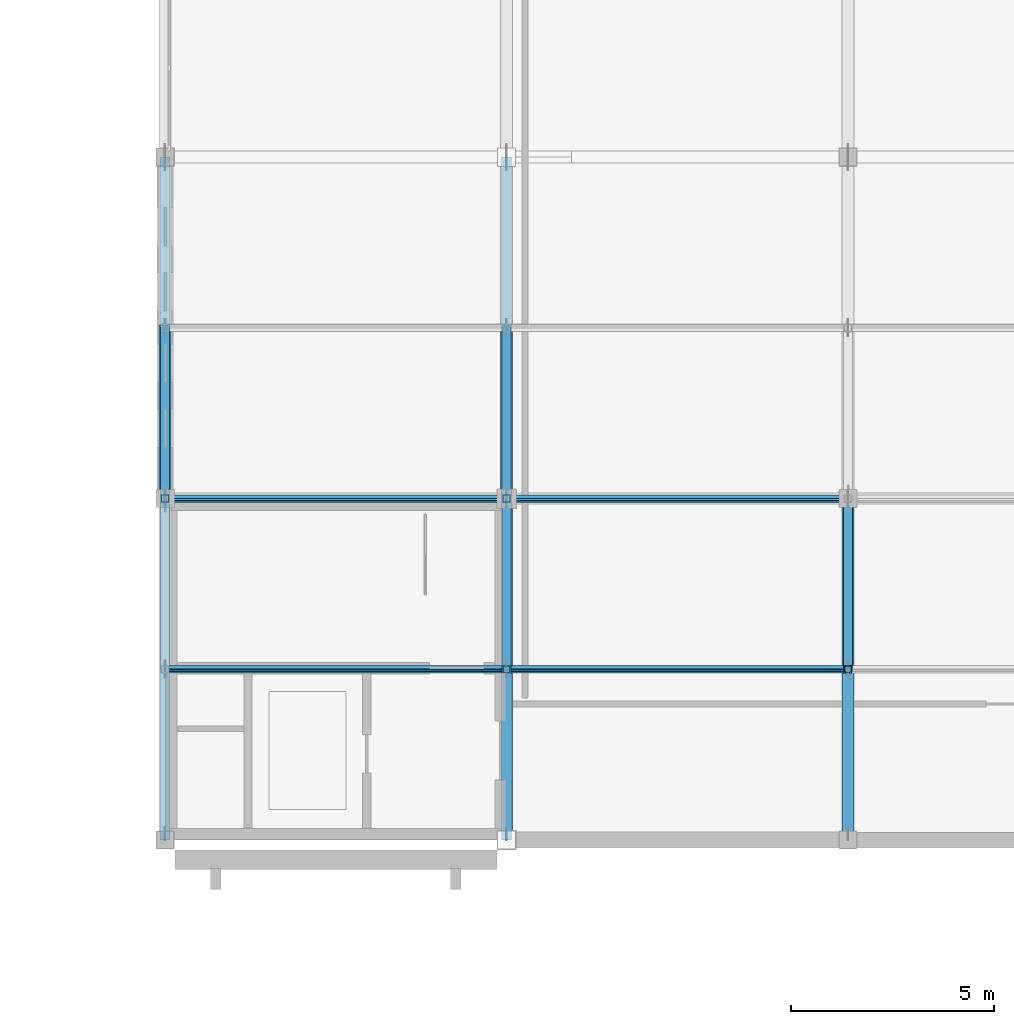
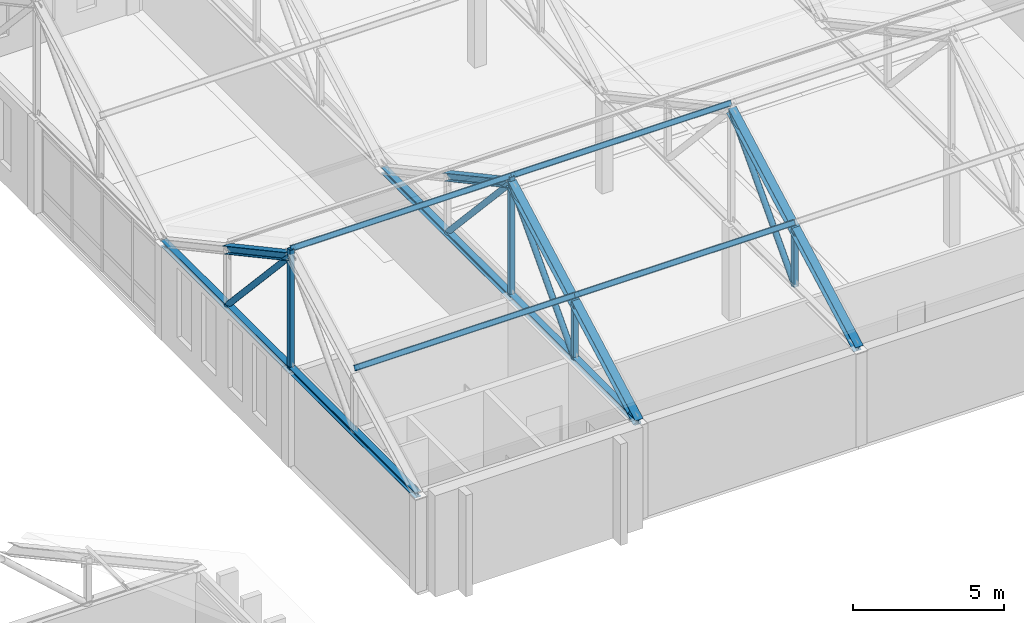
# One storey, part 26 of 110: 20 members.
"""IFC4 building model written with IfcOpenShell, lengths in metres."""

from ifc_helpers import new_model, si_unit, direction, frame, origin, origin_2d, place, context, subcontext, project, spatial, hollow_rectangle, hollow_circle, i_section, extrude, material, material_profile, profile_set, type_object, element, save


model = new_model("IFC4")

# Units and contexts
model_context = context("Model", 3, precision=1e-05, world=origin(), true_north=direction((0.0, 1.0)))
body_context = subcontext(model_context, "Body", "Model", "MODEL_VIEW")
ifc_project = project(units=[si_unit("LENGTHUNIT", "METRE"), si_unit("AREAUNIT", "SQUARE_METRE"), si_unit("VOLUMEUNIT", "CUBIC_METRE"), si_unit("PLANEANGLEUNIT", "RADIAN"), si_unit("MASSUNIT", "GRAM", prefix="KILO")], contexts=[model_context])

# Site, building, storey
site_placement = place(None, origin())
site = spatial("IfcSite", under=ifc_project, at=site_placement, CompositionType="ELEMENT")
building_placement = place(site_placement, origin())
building = spatial("IfcBuilding", under=site, at=building_placement, Name="Kveldsbrygga Polytechnic", CompositionType="ELEMENT")
storey_placement = place(building_placement, frame((0.0, 0.0, 9.860107421875)))
storey = spatial("IfcBuildingStorey", under=building, at=storey_placement, Name="L02", CompositionType="ELEMENT", Elevation=9.860107421875)

# Members
ifc_material = material(Name="Steel S355", Category="steel")
ifc_material_profile_1 = material_profile(ifc_material, i_section(OverallWidth=0.10009765625, OverallDepth=0.199951171875, WebThickness=0.005615234375, FlangeThickness=0.008544921875, FilletRadius=0.011962890625, at=origin_2d()), Name="IPE 200")
ifc_profile_set_1 = profile_set([ifc_material_profile_1], Name="Steel S355")
member_type_1 = type_object("IfcMemberType", Name="PRL-IPE200", PredefinedType="PURLIN", material=ifc_profile_set_1)
for number, where, z_axis, x_axis, name in (
    (1, (42.0, 88.199951171875, 6.33349609375), (1.0, 0.0, 0.0), (0.0, 0.879292204483, -0.476282709256), "Roof Purlin V2L1-PRL-1-1"),
    (2, (42.0, 92.39990234375, 8.608642578125), (1.0, 0.0, 0.0), (0.0, 0.879292204483, -0.476282709256), "Roof Purlin V2L1-PRL-1-2"),
):
    element("IfcMember", number, at=place(storey_placement, frame(where, z_axis=z_axis, x_axis=x_axis)), inside=storey, type_object=member_type_1, Name=name, PredefinedType="PURLIN", context=body_context, shape_type="SweptSolid", body=[
        extrude(i_section(OverallWidth=0.10009765625, OverallDepth=0.199951171875, WebThickness=0.005615234375, FlangeThickness=0.008544921875, FilletRadius=0.011962890625, at=origin_2d()), origin(), (0.0, 0.0, 1.0), 8.39990234375),
    ])
for number, where, z_axis, x_axis, name in (
    (3, (50.39990234375, 88.199951171875, 6.33349609375), (1.0, 0.0, 0.0), (0.0, 0.879292204483, -0.476282709256), "Roof Purlin V2L1-PRL-2-1"),
    (4, (50.39990234375, 92.39990234375, 8.608642578125), (1.0, 0.0, 0.0), (0.0, 0.879292204483, -0.476282709256), "Roof Purlin V2L1-PRL-2-2"),
):
    element("IfcMember", number, at=place(storey_placement, frame(where, z_axis=z_axis, x_axis=x_axis)), inside=storey, type_object=member_type_1, Name=name, PredefinedType="PURLIN", context=body_context, shape_type="SweptSolid", body=[
        extrude(i_section(OverallWidth=0.10009765625, OverallDepth=0.199951171875, WebThickness=0.005615234375, FlangeThickness=0.008544921875, FilletRadius=0.011962890625, at=origin_2d()), origin(), (0.0, 0.0, 1.0), 8.400146484375),
    ])
ifc_material_profile_2 = material_profile(ifc_material, i_section(OverallWidth=0.239990234375, OverallDepth=0.22998046875, WebThickness=0.007568359375, FlangeThickness=0.011962890625, FilletRadius=0.02099609375, at=origin_2d()), Name="HEA 240")
ifc_profile_set_2 = profile_set([ifc_material_profile_2], Name="Steel S355")
member_type_2 = type_object("IfcMemberType", Name="TR-BOT-HEA240", PredefinedType="CHORD", material=ifc_profile_set_2)
for number, where, z_axis, x_axis, name in (
    (5, (42.0, 84.0, 3.77978515625), (0.0, 1.0, 0.0), (-1.0, 0.0, 0.0), "Truss Bottom Chord V2L1-T01-BC-1"),
    (6, (50.39990234375, 84.0, 3.77978515625), (0.0, 1.0, 0.0), (-1.0, 0.0, 0.0), "Truss Bottom Chord V2L1-T02-BC-1"),
):
    element("IfcMember", number, at=place(storey_placement, frame(where, z_axis=z_axis, x_axis=x_axis)), inside=storey, type_object=member_type_2, Name=name, PredefinedType="CHORD", context=body_context, shape_type="SweptSolid", body=[
        extrude(i_section(OverallWidth=0.239990234375, OverallDepth=0.22998046875, WebThickness=0.007568359375, FlangeThickness=0.011962890625, FilletRadius=0.02099609375, at=origin_2d()), origin(), (0.0, 0.0, 1.0), 16.800048828125),
    ])
ifc_material_profile_3 = material_profile(ifc_material, hollow_circle(Radius=0.109619140625, WallThickness=0.012451171875, at=origin_2d()), Name="CHS 219.1x12.5")
ifc_profile_set_3 = profile_set([ifc_material_profile_3], Name="Steel S355")
member_type_3 = type_object("IfcMemberType", Name="TR-DIAG-CHS219", PredefinedType="BRACE", material=ifc_profile_set_3)
member_1_placement = place(storey_placement, frame((42.0, 92.39990234375, 8.329833984375), z_axis=(0.0, 0.678293202798, -0.734791352043), x_axis=(-1.0, 0.0, 0.0)))
element("IfcMember", 7, at=member_1_placement, inside=storey, type_object=member_type_3, Name="Truss Diagonal V2L1-T01-DG-3", PredefinedType="BRACE", context=body_context, shape_type="SweptSolid", body=[
    extrude(hollow_circle(Radius=0.109619140625, WallThickness=0.012451171875, at=origin_2d()), origin(), (0.0, 0.0, 1.0), 6.1923828125),
])
member_2_placement = place(storey_placement, frame((50.39990234375, 88.199951171875, 3.77978515625), z_axis=(0.0, 0.678271914864, 0.734811002576), x_axis=(-1.0, 0.0, 0.0)))
element("IfcMember", 8, at=member_2_placement, inside=storey, type_object=member_type_3, Name="Truss Diagonal V2L1-T02-DG-2", PredefinedType="BRACE", context=body_context, shape_type="SweptSolid", body=[
    extrude(hollow_circle(Radius=0.109619140625, WallThickness=0.012451171875, at=origin_2d()), origin(), (0.0, 0.0, 1.0), 6.192138671875),
])
member_3_placement = place(storey_placement, frame((50.39990234375, 92.39990234375, 8.329833984375), z_axis=(0.0, 0.678293202798, -0.734791352043), x_axis=(-1.0, 0.0, 0.0)))
element("IfcMember", 9, at=member_3_placement, inside=storey, type_object=member_type_3, Name="Truss Diagonal V2L1-T02-DG-3", PredefinedType="BRACE", context=body_context, shape_type="SweptSolid", body=[
    extrude(hollow_circle(Radius=0.109619140625, WallThickness=0.012451171875, at=origin_2d()), origin(), (0.0, 0.0, 1.0), 6.1923828125),
])
member_4_placement = place(storey_placement, frame((58.800048828125, 88.199951171875, 3.77978515625), z_axis=(0.0, 0.678271914864, 0.734811002576), x_axis=(-1.0, 0.0, 0.0)))
element("IfcMember", 10, at=member_4_placement, inside=storey, type_object=member_type_3, Name="Truss Diagonal V2L1-T03-DG-2", PredefinedType="BRACE", context=body_context, shape_type="SweptSolid", body=[
    extrude(hollow_circle(Radius=0.109619140625, WallThickness=0.012451171875, at=origin_2d()), origin(), (0.0, 0.0, 1.0), 6.192138671875),
])
ifc_material_profile_4 = material_profile(ifc_material, hollow_rectangle(XDim=0.179931640625, YDim=0.179931640625, WallThickness=0.010009765625, at=origin_2d()), Name="SHS 180x180x10.0")
ifc_profile_set_4 = profile_set([ifc_material_profile_4], Name="Steel S355")
member_type_4 = type_object("IfcMemberType", Name="TR-POST-SHS180", PredefinedType="STRUT", material=ifc_profile_set_4)
member_5_placement = place(storey_placement, frame((42.0, 92.39990234375, 3.77978515625), z_axis=(0.0, 0.0, 1.0), x_axis=(1.0, 0.0, 0.0)))
element("IfcMember", 11, at=member_5_placement, inside=storey, type_object=member_type_4, Name="Truss Vertical V2L1-T01-VT-2", PredefinedType="STRUT", context=body_context, shape_type="SweptSolid", body=[
    extrude(hollow_rectangle(XDim=0.179931640625, YDim=0.179931640625, WallThickness=0.010009765625, at=origin_2d()), origin(), (0.0, 0.0, 1.0), 4.828857421875),
])
member_6_placement = place(storey_placement, frame((50.39990234375, 88.199951171875, 3.77978515625), z_axis=(0.0, 0.0, 1.0), x_axis=(1.0, 0.0, 0.0)))
element("IfcMember", 12, at=member_6_placement, inside=storey, type_object=member_type_4, Name="Truss Vertical V2L1-T02-VT-1", PredefinedType="STRUT", context=body_context, shape_type="SweptSolid", body=[
    extrude(hollow_rectangle(XDim=0.179931640625, YDim=0.179931640625, WallThickness=0.010009765625, at=origin_2d()), origin(), (0.0, 0.0, 1.0), 2.275146484375),
])
member_7_placement = place(storey_placement, frame((50.39990234375, 92.39990234375, 3.77978515625), z_axis=(0.0, 0.0, 1.0), x_axis=(1.0, 0.0, 0.0)))
element("IfcMember", 13, at=member_7_placement, inside=storey, type_object=member_type_4, Name="Truss Vertical V2L1-T02-VT-2", PredefinedType="STRUT", context=body_context, shape_type="SweptSolid", body=[
    extrude(hollow_rectangle(XDim=0.179931640625, YDim=0.179931640625, WallThickness=0.010009765625, at=origin_2d()), origin(), (0.0, 0.0, 1.0), 4.828857421875),
])
member_8_placement = place(storey_placement, frame((58.800048828125, 88.199951171875, 3.77978515625), z_axis=(0.0, 0.0, 1.0), x_axis=(1.0, 0.0, 0.0)))
element("IfcMember", 14, at=member_8_placement, inside=storey, type_object=member_type_4, Name="Truss Vertical V2L1-T03-VT-1", PredefinedType="STRUT", context=body_context, shape_type="SweptSolid", body=[
    extrude(hollow_rectangle(XDim=0.179931640625, YDim=0.179931640625, WallThickness=0.010009765625, at=origin_2d()), origin(), (0.0, 0.0, 1.0), 2.275146484375),
])
ifc_material_profile_5 = material_profile(ifc_material, i_section(OverallWidth=0.300048828125, OverallDepth=0.2900390625, WebThickness=0.008544921875, FlangeThickness=0.013916015625, FilletRadius=0.027099609375, at=origin_2d()), Name="HEA 300")
ifc_profile_set_5 = profile_set([ifc_material_profile_5], Name="Steel S355")
member_type_5 = type_object("IfcMemberType", Name="TR-TOP-HEA300", PredefinedType="CHORD", material=ifc_profile_set_5)
for number, where, z_axis, x_axis, name in (
    (15, (42.0, 92.39990234375, 8.329833984375), (0.0, 0.879309803238, -0.476250217773), (-1.0, 0.0, 0.0), "Truss Top Chord V2L1-T01-TC-3"),
    (16, (50.39990234375, 84.0, 3.77978515625), (0.0, 0.879276804059, 0.476311139744), (-1.0, 0.0, 0.0), "Truss Top Chord V2L1-T02-TC-1"),
):
    element("IfcMember", number, at=place(storey_placement, frame(where, z_axis=z_axis, x_axis=x_axis)), inside=storey, type_object=member_type_5, Name=name, PredefinedType="CHORD", context=body_context, shape_type="SweptSolid", body=[
        extrude(i_section(OverallWidth=0.300048828125, OverallDepth=0.2900390625, WebThickness=0.008544921875, FlangeThickness=0.013916015625, FilletRadius=0.027099609375, at=origin_2d()), origin(), (0.0, 0.0, 1.0), 4.776611328125),
    ])
member_9_placement = place(storey_placement, frame((50.39990234375, 88.199951171875, 6.054931640625), z_axis=(0.0, 0.879298209803, 0.47627162233), x_axis=(-1.0, 0.0, 0.0)))
element("IfcMember", 17, at=member_9_placement, inside=storey, type_object=member_type_5, Name="Truss Top Chord V2L1-T02-TC-2", PredefinedType="CHORD", context=body_context, shape_type="SweptSolid", body=[
    extrude(i_section(OverallWidth=0.300048828125, OverallDepth=0.2900390625, WebThickness=0.008544921875, FlangeThickness=0.013916015625, FilletRadius=0.027099609375, at=origin_2d()), origin(), (0.0, 0.0, 1.0), 4.7763671875),
])
for number, where, z_axis, x_axis, name in (
    (18, (50.39990234375, 92.39990234375, 8.329833984375), (0.0, 0.879309803238, -0.476250217773), (-1.0, 0.0, 0.0), "Truss Top Chord V2L1-T02-TC-3"),
    (19, (58.800048828125, 84.0, 3.77978515625), (0.0, 0.879276804059, 0.476311139744), (-1.0, 0.0, 0.0), "Truss Top Chord V2L1-T03-TC-1"),
):
    element("IfcMember", number, at=place(storey_placement, frame(where, z_axis=z_axis, x_axis=x_axis)), inside=storey, type_object=member_type_5, Name=name, PredefinedType="CHORD", context=body_context, shape_type="SweptSolid", body=[
        extrude(i_section(OverallWidth=0.300048828125, OverallDepth=0.2900390625, WebThickness=0.008544921875, FlangeThickness=0.013916015625, FilletRadius=0.027099609375, at=origin_2d()), origin(), (0.0, 0.0, 1.0), 4.776611328125),
    ])
member_10_placement = place(storey_placement, frame((58.800048828125, 88.199951171875, 6.054931640625), z_axis=(0.0, 0.879298209803, 0.47627162233), x_axis=(-1.0, 0.0, 0.0)))
element("IfcMember", 20, at=member_10_placement, inside=storey, type_object=member_type_5, Name="Truss Top Chord V2L1-T03-TC-2", PredefinedType="CHORD", context=body_context, shape_type="SweptSolid", body=[
    extrude(i_section(OverallWidth=0.300048828125, OverallDepth=0.2900390625, WebThickness=0.008544921875, FlangeThickness=0.013916015625, FilletRadius=0.027099609375, at=origin_2d()), origin(), (0.0, 0.0, 1.0), 4.7763671875),
])

save(model, "model.ifc")
